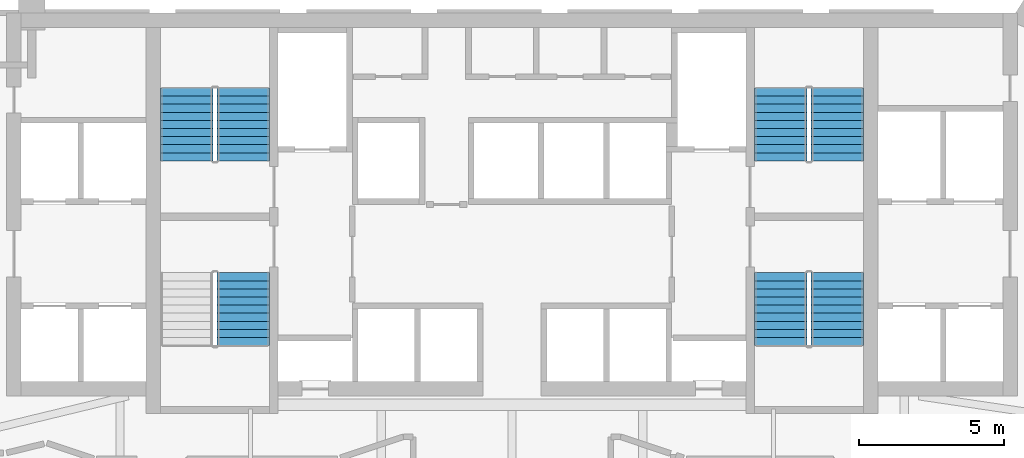
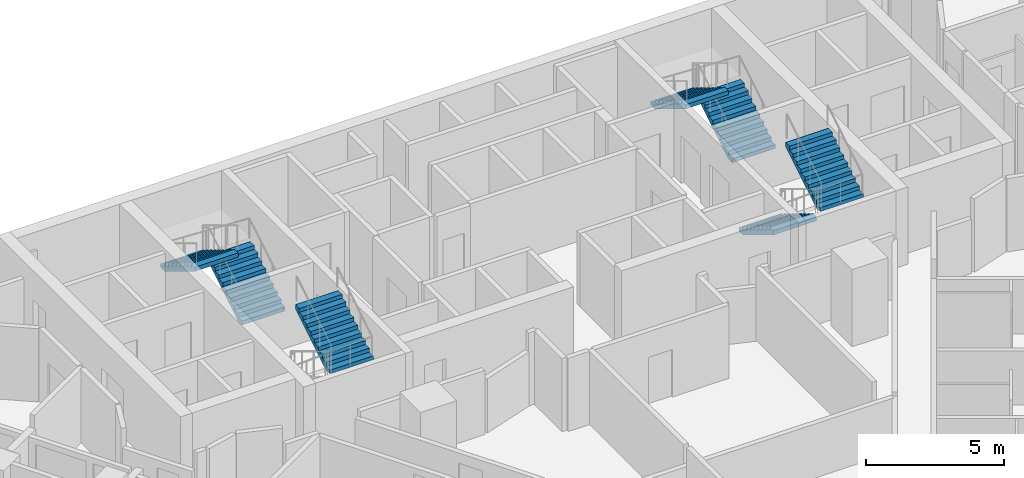
# One storey, part 10 of 11: 7 stair flights, 4 elements without a shape of their own.
"""IFC4 building model written with IfcOpenShell, lengths in metres."""

from ifc_helpers import new_model, si_unit, direction, frame, origin, place, context, subcontext, project, spatial, faceted_brep, source, transform, mapped, material, type_object, element, aggregate, save


model = new_model("IFC4")

# Units and contexts
model_context = context("Model", 3, precision=1e-05, world=origin(), true_north=direction((0.0, 1.0)))
body_context = subcontext(model_context, "Body", "Model", "MODEL_VIEW")
ifc_project = project(units=[si_unit("LENGTHUNIT", "METRE"), si_unit("AREAUNIT", "SQUARE_METRE"), si_unit("VOLUMEUNIT", "CUBIC_METRE"), si_unit("PLANEANGLEUNIT", "RADIAN"), si_unit("MASSUNIT", "GRAM", prefix="KILO")], contexts=[model_context])

# Site, building, storey
site_placement = place(None, origin())
site = spatial("IfcSite", under=ifc_project, at=site_placement, CompositionType="ELEMENT")
building_placement = place(site_placement, origin())
building = spatial("IfcBuilding", under=site, at=building_placement, Name="Calabash Gate Tower", CompositionType="ELEMENT")
storey_placement = place(building_placement, frame((0.0, 0.0, 115.60009765625)))
storey = spatial("IfcBuildingStorey", under=building, at=storey_placement, Name="L26", CompositionType="ELEMENT", Elevation=115.60009765625)

# Stair, stair flights
ifc_material_1 = material(Name="Concrete C40/50", Category="concrete")
stair_type = type_object("IfcStairType", Name="Exit stair 20 risers of 170 mm", PredefinedType="HALF_TURN_STAIR", material=ifc_material_1)
stair_1_placement = place(storey_placement, origin())
stair_1 = element("IfcStair", 1, at=stair_1_placement, inside=storey, type_object=stair_type, Name="L26 Exit stair ST1", PredefinedType="HALF_TURN_STAIR")
ifc_material_2 = material(Name="Concrete C40/50", Category="concrete")
stair_flight_type = type_object("IfcStairFlightType", Name="Exit stair flight SFL", PredefinedType="STRAIGHT", material=ifc_material_2)
shared_shape = source(origin(), body_context, "Body", "Brep", [
    faceted_brep([(-0.0009765625, -0.89990234375, 0.0), (0.2880859375, -0.89990234375, 0.0), (2.511962890625, -0.89990234375, 1.3544921875), (-0.0009765625, 0.89990234375, 0.0), (2.511962890625, 0.89990234375, 1.3544921875), (0.2880859375, 0.89990234375, 0.0), (2.511962890625, -0.89990234375, 1.5419921875), (2.510986328125, -0.89990234375, 1.5419921875), (2.510986328125, 0.89990234375, 1.5419921875), (2.511962890625, 0.89990234375, 1.5419921875), (2.510986328125, -0.89990234375, 1.530029296875), (2.510986328125, 0.89990234375, 1.530029296875), (2.23193359375, -0.89990234375, 1.530029296875), (2.23193359375, 0.89990234375, 1.530029296875), (2.23193359375, -0.89990234375, 1.360107421875), (2.23193359375, 0.89990234375, 1.360107421875), (1.952880859375, -0.89990234375, 1.360107421875), (1.952880859375, 0.89990234375, 1.360107421875), (1.952880859375, -0.89990234375, 1.18994140625), (1.952880859375, 0.89990234375, 1.18994140625), (1.674072265625, -0.89990234375, 1.18994140625), (1.674072265625, -0.89990234375, 1.02001953125), (1.674072265625, 0.89990234375, 1.02001953125), (1.674072265625, 0.89990234375, 1.18994140625), (1.39501953125, -0.89990234375, 1.02001953125), (1.39501953125, -0.89990234375, 0.85009765625), (1.39501953125, 0.89990234375, 0.85009765625), (1.39501953125, 0.89990234375, 1.02001953125), (1.115966796875, -0.89990234375, 0.85009765625), (1.115966796875, -0.89990234375, 0.679931640625), (1.115966796875, 0.89990234375, 0.679931640625), (1.115966796875, 0.89990234375, 0.85009765625), (0.8369140625, -0.89990234375, 0.679931640625), (0.8369140625, -0.89990234375, 0.510009765625), (0.8369140625, 0.89990234375, 0.510009765625), (0.8369140625, 0.89990234375, 0.679931640625), (0.55810546875, -0.89990234375, 0.510009765625), (0.55810546875, -0.89990234375, 0.340087890625), (0.55810546875, 0.89990234375, 0.340087890625), (0.55810546875, 0.89990234375, 0.510009765625), (0.279052734375, -0.89990234375, 0.340087890625), (0.279052734375, -0.89990234375, 0.169921875), (0.279052734375, 0.89990234375, 0.169921875), (0.279052734375, 0.89990234375, 0.340087890625), (-0.0009765625, -0.89990234375, 0.169921875), (-0.0009765625, 0.89990234375, 0.169921875), (0.2880859375, -0.360107421875, 0.0), (2.511962890625, -0.360107421875, 1.3544921875), (0.2880859375, -0.179931640625, 0.0), (2.511962890625, -0.179931640625, 1.3544921875), (0.2880859375, 0.0, 0.0), (2.511962890625, 0.0, 1.3544921875), (0.2880859375, 0.179931640625, 0.0), (2.511962890625, 0.179931640625, 1.3544921875), (0.2880859375, 0.360107421875, 0.0), (2.511962890625, 0.360107421875, 1.3544921875), (2.511962890625, -0.360107421875, 1.5419921875), (2.511962890625, -0.179931640625, 1.5419921875), (2.511962890625, 0.0, 1.5419921875), (2.511962890625, 0.179931640625, 1.5419921875), (2.511962890625, 0.360107421875, 1.5419921875), (2.510986328125, -0.360107421875, 1.5419921875), (2.510986328125, -0.179931640625, 1.5419921875), (2.510986328125, 0.0, 1.5419921875), (2.510986328125, 0.179931640625, 1.5419921875), (2.510986328125, 0.360107421875, 1.5419921875), (2.510986328125, -0.360107421875, 1.530029296875), (2.510986328125, -0.179931640625, 1.530029296875), (2.510986328125, 0.0, 1.530029296875), (2.510986328125, 0.179931640625, 1.530029296875), (2.510986328125, 0.360107421875, 1.530029296875), (2.23193359375, -0.360107421875, 1.530029296875), (2.23193359375, -0.179931640625, 1.530029296875), (2.23193359375, 0.0, 1.530029296875), (2.23193359375, 0.179931640625, 1.530029296875), (2.23193359375, 0.360107421875, 1.530029296875), (2.23193359375, -0.360107421875, 1.360107421875), (2.23193359375, -0.179931640625, 1.360107421875), (2.23193359375, 0.0, 1.360107421875), (2.23193359375, 0.179931640625, 1.360107421875), (2.23193359375, 0.360107421875, 1.360107421875), (1.952880859375, -0.360107421875, 1.360107421875), (1.952880859375, -0.179931640625, 1.360107421875), (1.952880859375, 0.0, 1.360107421875), (1.952880859375, 0.179931640625, 1.360107421875), (1.952880859375, 0.360107421875, 1.360107421875), (1.952880859375, -0.360107421875, 1.18994140625), (1.952880859375, -0.179931640625, 1.18994140625), (1.952880859375, 0.0, 1.18994140625), (1.952880859375, 0.179931640625, 1.18994140625), (1.952880859375, 0.360107421875, 1.18994140625), (1.674072265625, -0.360107421875, 1.18994140625), (1.674072265625, -0.179931640625, 1.18994140625), (1.674072265625, 0.0, 1.18994140625), (1.674072265625, 0.179931640625, 1.18994140625), (1.674072265625, 0.360107421875, 1.18994140625), (1.674072265625, -0.360107421875, 1.02001953125), (1.674072265625, -0.179931640625, 1.02001953125), (1.674072265625, 0.0, 1.02001953125), (1.674072265625, 0.179931640625, 1.02001953125), (1.674072265625, 0.360107421875, 1.02001953125), (1.39501953125, -0.360107421875, 1.02001953125), (1.39501953125, -0.179931640625, 1.02001953125), (1.39501953125, 0.0, 1.02001953125), (1.39501953125, 0.179931640625, 1.02001953125), (1.39501953125, 0.360107421875, 1.02001953125), (1.39501953125, -0.360107421875, 0.85009765625), (1.39501953125, -0.179931640625, 0.85009765625), (1.39501953125, 0.0, 0.85009765625), (1.39501953125, 0.179931640625, 0.85009765625), (1.39501953125, 0.360107421875, 0.85009765625), (1.115966796875, -0.360107421875, 0.85009765625), (1.115966796875, -0.179931640625, 0.85009765625), (1.115966796875, 0.0, 0.85009765625), (1.115966796875, 0.179931640625, 0.85009765625), (1.115966796875, 0.360107421875, 0.85009765625), (1.115966796875, -0.360107421875, 0.679931640625), (1.115966796875, -0.179931640625, 0.679931640625), (1.115966796875, 0.0, 0.679931640625), (1.115966796875, 0.179931640625, 0.679931640625), (1.115966796875, 0.360107421875, 0.679931640625), (0.8369140625, -0.360107421875, 0.679931640625), (0.8369140625, -0.179931640625, 0.679931640625), (0.8369140625, 0.0, 0.679931640625), (0.8369140625, 0.179931640625, 0.679931640625), (0.8369140625, 0.360107421875, 0.679931640625), (0.8369140625, -0.360107421875, 0.510009765625), (0.8369140625, -0.179931640625, 0.510009765625), (0.8369140625, 0.0, 0.510009765625), (0.8369140625, 0.179931640625, 0.510009765625), (0.8369140625, 0.360107421875, 0.510009765625), (0.55810546875, -0.360107421875, 0.510009765625), (0.55810546875, -0.179931640625, 0.510009765625), (0.55810546875, 0.0, 0.510009765625), (0.55810546875, 0.179931640625, 0.510009765625), (0.55810546875, 0.360107421875, 0.510009765625), (0.55810546875, -0.360107421875, 0.340087890625), (0.55810546875, -0.179931640625, 0.340087890625), (0.55810546875, 0.0, 0.340087890625), (0.55810546875, 0.179931640625, 0.340087890625), (0.55810546875, 0.360107421875, 0.340087890625), (0.279052734375, -0.360107421875, 0.340087890625), (0.279052734375, -0.179931640625, 0.340087890625), (0.279052734375, 0.0, 0.340087890625), (0.279052734375, 0.179931640625, 0.340087890625), (0.279052734375, 0.360107421875, 0.340087890625), (0.279052734375, -0.360107421875, 0.169921875), (0.279052734375, -0.179931640625, 0.169921875), (0.279052734375, 0.0, 0.169921875), (0.279052734375, 0.179931640625, 0.169921875), (0.279052734375, 0.360107421875, 0.169921875), (-0.0009765625, -0.360107421875, 0.169921875), (-0.0009765625, -0.179931640625, 0.169921875), (-0.0009765625, 0.0, 0.169921875), (-0.0009765625, 0.179931640625, 0.169921875), (-0.0009765625, 0.360107421875, 0.169921875), (-0.0009765625, -0.360107421875, 0.0), (-0.0009765625, -0.179931640625, 0.0), (-0.0009765625, 0.0, 0.0), (-0.0009765625, 0.179931640625, 0.0), (-0.0009765625, 0.360107421875, 0.0)], [[[0, 1, 2]], [[3, 4, 5]], [[2, 6, 7]], [[4, 8, 9]], [[2, 7, 10]], [[4, 11, 8]], [[2, 10, 12]], [[4, 13, 11]], [[2, 12, 14]], [[4, 15, 13]], [[2, 14, 16]], [[4, 17, 15]], [[2, 16, 18]], [[4, 19, 17]], [[18, 20, 21]], [[19, 22, 23]], [[2, 18, 21]], [[4, 22, 19]], [[21, 24, 25]], [[22, 26, 27]], [[2, 21, 25]], [[4, 26, 22]], [[25, 28, 29]], [[26, 30, 31]], [[2, 25, 29]], [[4, 30, 26]], [[29, 32, 33]], [[30, 34, 35]], [[2, 29, 33]], [[4, 34, 30]], [[33, 36, 37]], [[34, 38, 39]], [[2, 33, 37]], [[4, 38, 34]], [[37, 40, 41]], [[38, 42, 43]], [[2, 37, 41]], [[4, 42, 38]], [[0, 2, 41]], [[3, 42, 4]], [[41, 44, 0]], [[42, 3, 45]], [[1, 46, 2]], [[46, 47, 2]], [[46, 48, 47]], [[48, 49, 47]], [[48, 50, 49]], [[50, 51, 49]], [[50, 52, 53]], [[50, 53, 51]], [[52, 54, 55]], [[52, 55, 53]], [[54, 5, 4]], [[54, 4, 55]], [[2, 47, 6]], [[47, 56, 6]], [[47, 49, 56]], [[49, 57, 56]], [[49, 51, 57]], [[51, 58, 57]], [[51, 53, 59]], [[51, 59, 58]], [[53, 55, 60]], [[53, 60, 59]], [[55, 4, 9]], [[55, 9, 60]], [[6, 56, 7]], [[56, 61, 7]], [[56, 57, 61]], [[57, 62, 61]], [[57, 58, 62]], [[58, 63, 62]], [[58, 59, 64]], [[58, 64, 63]], [[59, 60, 65]], [[59, 65, 64]], [[60, 9, 8]], [[60, 8, 65]], [[7, 61, 10]], [[61, 66, 10]], [[61, 62, 66]], [[62, 67, 66]], [[62, 63, 67]], [[63, 68, 67]], [[63, 64, 69]], [[63, 69, 68]], [[64, 65, 70]], [[64, 70, 69]], [[65, 8, 11]], [[65, 11, 70]], [[10, 66, 12]], [[66, 71, 12]], [[66, 67, 71]], [[67, 72, 71]], [[67, 68, 72]], [[68, 73, 72]], [[68, 69, 74]], [[68, 74, 73]], [[69, 70, 75]], [[69, 75, 74]], [[70, 11, 13]], [[70, 13, 75]], [[12, 71, 14]], [[71, 76, 14]], [[71, 72, 76]], [[72, 77, 76]], [[72, 73, 77]], [[73, 78, 77]], [[73, 74, 79]], [[73, 79, 78]], [[74, 75, 80]], [[74, 80, 79]], [[75, 13, 15]], [[75, 15, 80]], [[14, 76, 16]], [[76, 81, 16]], [[76, 77, 81]], [[77, 82, 81]], [[77, 78, 82]], [[78, 83, 82]], [[78, 79, 84]], [[78, 84, 83]], [[79, 80, 85]], [[79, 85, 84]], [[80, 15, 17]], [[80, 17, 85]], [[16, 81, 18]], [[81, 86, 18]], [[81, 82, 86]], [[82, 87, 86]], [[82, 83, 87]], [[83, 88, 87]], [[83, 84, 89]], [[83, 89, 88]], [[84, 85, 90]], [[84, 90, 89]], [[85, 17, 19]], [[85, 19, 90]], [[18, 86, 20]], [[86, 91, 20]], [[86, 87, 91]], [[87, 92, 91]], [[87, 88, 92]], [[88, 93, 92]], [[88, 89, 94]], [[88, 94, 93]], [[89, 90, 95]], [[89, 95, 94]], [[90, 19, 23]], [[90, 23, 95]], [[20, 91, 21]], [[91, 96, 21]], [[91, 92, 96]], [[92, 97, 96]], [[92, 93, 97]], [[93, 98, 97]], [[93, 94, 99]], [[93, 99, 98]], [[94, 95, 100]], [[94, 100, 99]], [[95, 23, 22]], [[95, 22, 100]], [[21, 96, 24]], [[96, 101, 24]], [[96, 97, 101]], [[97, 102, 101]], [[97, 98, 102]], [[98, 103, 102]], [[98, 99, 104]], [[98, 104, 103]], [[99, 100, 105]], [[99, 105, 104]], [[100, 22, 27]], [[100, 27, 105]], [[24, 101, 25]], [[101, 106, 25]], [[101, 102, 106]], [[102, 107, 106]], [[102, 103, 107]], [[103, 108, 107]], [[103, 104, 109]], [[103, 109, 108]], [[104, 105, 110]], [[104, 110, 109]], [[105, 27, 26]], [[105, 26, 110]], [[25, 106, 28]], [[106, 111, 28]], [[106, 107, 111]], [[107, 112, 111]], [[107, 108, 112]], [[108, 113, 112]], [[108, 109, 114]], [[108, 114, 113]], [[109, 110, 115]], [[109, 115, 114]], [[110, 26, 31]], [[110, 31, 115]], [[28, 111, 29]], [[111, 116, 29]], [[111, 112, 116]], [[112, 117, 116]], [[112, 113, 117]], [[113, 118, 117]], [[113, 114, 119]], [[113, 119, 118]], [[114, 115, 120]], [[114, 120, 119]], [[115, 31, 30]], [[115, 30, 120]], [[29, 116, 32]], [[116, 121, 32]], [[116, 117, 121]], [[117, 122, 121]], [[117, 118, 122]], [[118, 123, 122]], [[118, 119, 124]], [[118, 124, 123]], [[119, 120, 125]], [[119, 125, 124]], [[120, 30, 35]], [[120, 35, 125]], [[32, 121, 33]], [[121, 126, 33]], [[121, 122, 126]], [[122, 127, 126]], [[122, 123, 127]], [[123, 128, 127]], [[123, 124, 129]], [[123, 129, 128]], [[124, 125, 130]], [[124, 130, 129]], [[125, 35, 34]], [[125, 34, 130]], [[33, 126, 36]], [[126, 131, 36]], [[126, 127, 131]], [[127, 132, 131]], [[127, 128, 132]], [[128, 133, 132]], [[128, 129, 134]], [[128, 134, 133]], [[129, 130, 135]], [[129, 135, 134]], [[130, 34, 39]], [[130, 39, 135]], [[36, 131, 37]], [[131, 136, 37]], [[131, 132, 136]], [[132, 137, 136]], [[132, 133, 137]], [[133, 138, 137]], [[133, 134, 139]], [[133, 139, 138]], [[134, 135, 140]], [[134, 140, 139]], [[135, 39, 38]], [[135, 38, 140]], [[37, 136, 40]], [[136, 141, 40]], [[136, 137, 141]], [[137, 142, 141]], [[137, 138, 142]], [[138, 143, 142]], [[138, 139, 144]], [[138, 144, 143]], [[139, 140, 145]], [[139, 145, 144]], [[140, 38, 43]], [[140, 43, 145]], [[40, 141, 41]], [[141, 146, 41]], [[141, 142, 146]], [[142, 147, 146]], [[142, 143, 147]], [[143, 148, 147]], [[143, 144, 149]], [[143, 149, 148]], [[144, 145, 150]], [[144, 150, 149]], [[145, 43, 42]], [[145, 42, 150]], [[41, 146, 44]], [[146, 151, 44]], [[146, 147, 151]], [[147, 152, 151]], [[147, 148, 152]], [[148, 153, 152]], [[148, 149, 154]], [[148, 154, 153]], [[149, 150, 155]], [[149, 155, 154]], [[150, 42, 45]], [[150, 45, 155]], [[44, 151, 0]], [[151, 156, 0]], [[151, 152, 156]], [[152, 157, 156]], [[152, 153, 157]], [[153, 158, 157]], [[153, 154, 159]], [[153, 159, 158]], [[154, 155, 160]], [[154, 160, 159]], [[155, 45, 3]], [[155, 3, 160]], [[0, 156, 1]], [[156, 46, 1]], [[156, 157, 46]], [[157, 48, 46]], [[157, 158, 48]], [[158, 50, 48]], [[158, 159, 52]], [[158, 52, 50]], [[159, 160, 54]], [[159, 54, 52]], [[160, 3, 5]], [[160, 5, 54]]]),
])
stair_flight_1_placement = place(storey_placement, frame((-9.25, 13.95263671875, 0.0), z_axis=(0.0, 0.0, 1.0), x_axis=(0.0, 1.0, 0.0)))
stair_flight_1 = element("IfcStairFlight", 2, at=stair_flight_1_placement, type_object=stair_flight_type, Name="ST1 flight 1", NumberOfRisers=10, NumberOfTreads=9, PredefinedType="STRAIGHT", RiserHeight=0.17, TreadLength=0.279, context=body_context, shape_type="MappedRepresentation", body=[
    mapped(shared_shape, transform((0.0, 0.0, 0.0), scale=1.0)),
])
stair_flight_2_placement = place(storey_placement, frame((-11.199951171875, 16.463623046875, 1.699951171875), z_axis=(0.0, 0.0, 1.0), x_axis=(0.0, -1.0, 0.0)))
stair_flight_2 = element("IfcStairFlight", 3, at=stair_flight_2_placement, type_object=stair_flight_type, Name="ST1 flight 2", NumberOfRisers=10, NumberOfTreads=9, PredefinedType="STRAIGHT", RiserHeight=0.17, TreadLength=0.279, context=body_context, shape_type="MappedRepresentation", body=[
    mapped(shared_shape, transform((0.0, 0.0, 0.0), scale=1.0)),
])
aggregate(stair_1, [stair_flight_1, stair_flight_2])

# Stair, stair flight
stair_2_placement = place(storey_placement, origin())
stair_2 = element("IfcStair", 4, at=stair_2_placement, inside=storey, type_object=stair_type, Name="L26 Exit stair ST2", PredefinedType="HALF_TURN_STAIR")
stair_flight_3_placement = place(storey_placement, frame((-9.25, 7.591552734375, 1.699951171875), z_axis=(0.0, 0.0, 1.0), x_axis=(0.0, 1.0, 0.0)))
stair_flight_3 = element("IfcStairFlight", 5, at=stair_flight_3_placement, type_object=stair_flight_type, Name="ST2 flight 2", NumberOfRisers=10, NumberOfTreads=9, PredefinedType="STRAIGHT", RiserHeight=0.17, TreadLength=0.279, context=body_context, shape_type="MappedRepresentation", body=[
    mapped(shared_shape, transform((0.0, 0.0, 0.0), scale=1.0)),
])
aggregate(stair_2, [stair_flight_3])

# Stair, stair flights
stair_3_placement = place(storey_placement, origin())
stair_3 = element("IfcStair", 6, at=stair_3_placement, inside=storey, type_object=stair_type, Name="L26 Exit stair ST3", PredefinedType="HALF_TURN_STAIR")
stair_flight_4_placement = place(storey_placement, frame((11.199951171875, 13.95263671875, 0.0), z_axis=(0.0, 0.0, 1.0), x_axis=(0.0, 1.0, 0.0)))
stair_flight_4 = element("IfcStairFlight", 7, at=stair_flight_4_placement, type_object=stair_flight_type, Name="ST3 flight 1", NumberOfRisers=10, NumberOfTreads=9, PredefinedType="STRAIGHT", RiserHeight=0.17, TreadLength=0.279, context=body_context, shape_type="MappedRepresentation", body=[
    mapped(shared_shape, transform((0.0, 0.0, 0.0), scale=1.0)),
])
stair_flight_5_placement = place(storey_placement, frame((9.25, 16.463623046875, 1.699951171875), z_axis=(0.0, 0.0, 1.0), x_axis=(0.0, -1.0, 0.0)))
stair_flight_5 = element("IfcStairFlight", 8, at=stair_flight_5_placement, type_object=stair_flight_type, Name="ST3 flight 2", NumberOfRisers=10, NumberOfTreads=9, PredefinedType="STRAIGHT", RiserHeight=0.17, TreadLength=0.279, context=body_context, shape_type="MappedRepresentation", body=[
    mapped(shared_shape, transform((0.0, 0.0, 0.0), scale=1.0)),
])
aggregate(stair_3, [stair_flight_4, stair_flight_5])

stair_4_placement = place(storey_placement, origin())
stair_4 = element("IfcStair", 9, at=stair_4_placement, inside=storey, type_object=stair_type, Name="L26 Exit stair ST4", PredefinedType="HALF_TURN_STAIR")
stair_flight_6_placement = place(storey_placement, frame((9.25, 10.1025390625, 0.0), z_axis=(0.0, 0.0, 1.0), x_axis=(0.0, -1.0, 0.0)))
stair_flight_6 = element("IfcStairFlight", 10, at=stair_flight_6_placement, type_object=stair_flight_type, Name="ST4 flight 1", NumberOfRisers=10, NumberOfTreads=9, PredefinedType="STRAIGHT", RiserHeight=0.17, TreadLength=0.279, context=body_context, shape_type="MappedRepresentation", body=[
    mapped(shared_shape, transform((0.0, 0.0, 0.0), scale=1.0)),
])
stair_flight_7_placement = place(storey_placement, frame((11.199951171875, 7.591552734375, 1.699951171875), z_axis=(0.0, 0.0, 1.0), x_axis=(0.0, 1.0, 0.0)))
stair_flight_7 = element("IfcStairFlight", 11, at=stair_flight_7_placement, type_object=stair_flight_type, Name="ST4 flight 2", NumberOfRisers=10, NumberOfTreads=9, PredefinedType="STRAIGHT", RiserHeight=0.17, TreadLength=0.279, context=body_context, shape_type="MappedRepresentation", body=[
    mapped(shared_shape, transform((0.0, 0.0, 0.0), scale=1.0)),
])
aggregate(stair_4, [stair_flight_6, stair_flight_7])

save(model, "model.ifc")
